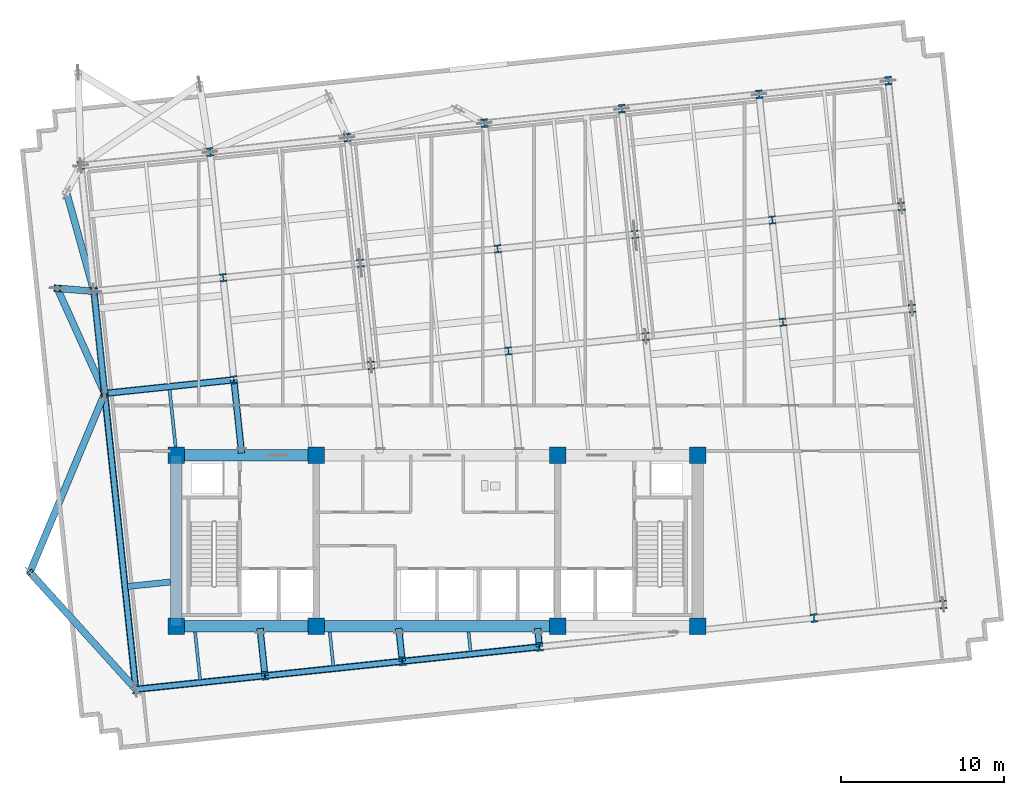
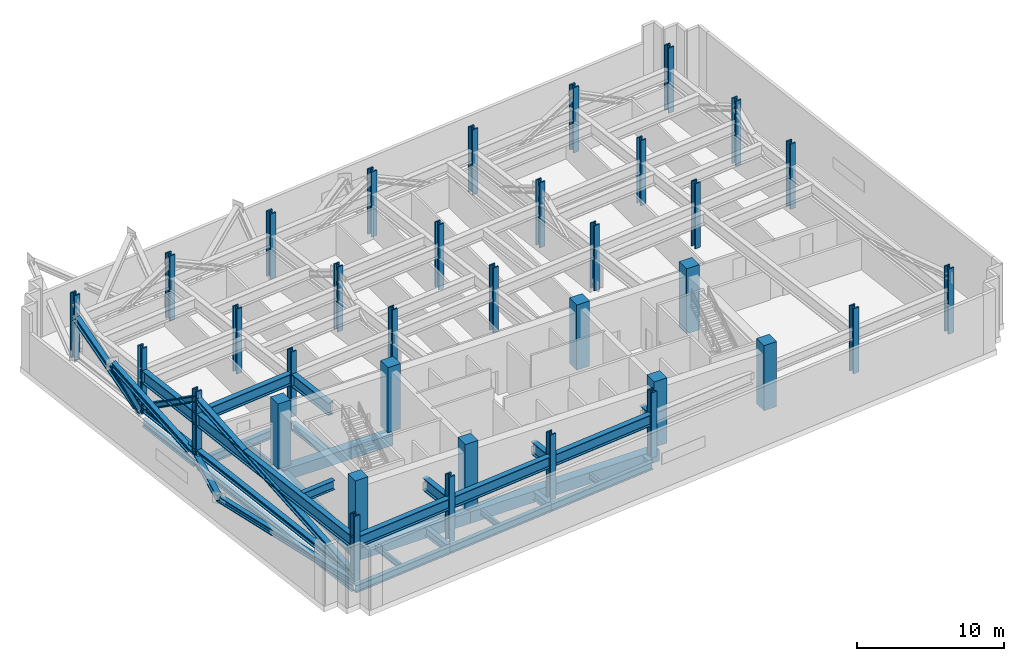
# One storey, part 1 of 11: 35 columns, 29 beams, 9 members.
"""IFC4 building model written with IfcOpenShell, lengths in metres."""

from ifc_helpers import new_model, si_unit, direction, frame, origin, origin_2d, place, context, subcontext, project, spatial, rectangle, i_section, extrude, material, material_profile, profile_set, type_object, element, save


model = new_model("IFC4")

# Units and contexts
model_context = context("Model", 3, precision=1e-05, world=origin(), true_north=direction((0.0, 1.0)))
body_context = subcontext(model_context, "Body", "Model", "MODEL_VIEW")
ifc_project = project(units=[si_unit("LENGTHUNIT", "METRE"), si_unit("AREAUNIT", "SQUARE_METRE"), si_unit("VOLUMEUNIT", "CUBIC_METRE"), si_unit("PLANEANGLEUNIT", "RADIAN"), si_unit("MASSUNIT", "GRAM", prefix="KILO")], contexts=[model_context])

# Site, building, storey
site_placement = place(None, origin())
site = spatial("IfcSite", under=ifc_project, at=site_placement, CompositionType="ELEMENT")
building_placement = place(site_placement, origin())
building = spatial("IfcBuilding", under=site, at=building_placement, Name="Solmavex Isthmus Hotel", CompositionType="ELEMENT")
storey_placement = place(building_placement, frame((0.0, 0.0, 130.5)))
storey = spatial("IfcBuildingStorey", under=building, at=storey_placement, Name="L35", CompositionType="ELEMENT", Elevation=130.5)

# Columns
ifc_material_1 = material(Name="Concrete C60/75", Category="concrete")
ifc_material_profile_1 = material_profile(ifc_material_1, rectangle(XDim=1.0, YDim=1.0, at=origin_2d()), Name="RC1000X1000")
ifc_profile_set_1 = profile_set([ifc_material_profile_1], Name="Concrete C60/75")
column_type_1 = type_object("IfcColumnType", Name="COL-CC-1000", PredefinedType="COLUMN", material=ifc_profile_set_1)
for number, where, z_axis, x_axis, name in (
    (1, (-16.0, -13.0, 0.0), (0.0, 0.0, 1.0), (1.0, 0.0, 0.0), "Core Pilaster CC-SW L35"),
    (2, (-7.39990234375, -13.0, 0.0), (0.0, 0.0, 1.0), (1.0, 0.0, 0.0), "Core Pilaster CC-S1 L35"),
    (3, (7.39990234375, -13.0, 0.0), (0.0, 0.0, 1.0), (1.0, 0.0, 0.0), "Core Pilaster CC-S2 L35"),
    (4, (16.0, -13.0, 0.0), (0.0, 0.0, 1.0), (1.0, 0.0, 0.0), "Core Pilaster CC-SE L35"),
    (5, (-16.0, -2.5, 0.0), (0.0, 0.0, 1.0), (1.0, 0.0, 0.0), "Core Pilaster CC-NW L35"),
    (6, (-7.39990234375, -2.5, 0.0), (0.0, 0.0, 1.0), (1.0, 0.0, 0.0), "Core Pilaster CC-N1 L35"),
    (7, (7.39990234375, -2.5, 0.0), (0.0, 0.0, 1.0), (1.0, 0.0, 0.0), "Core Pilaster CC-N2 L35"),
    (8, (16.0, -2.5, 0.0), (0.0, 0.0, 1.0), (1.0, 0.0, 0.0), "Core Pilaster CC-NE L35"),
):
    element("IfcColumn", number, at=place(storey_placement, frame(where, z_axis=z_axis, x_axis=x_axis)), inside=storey, type_object=column_type_1, Name=name, PredefinedType="COLUMN", context=body_context, shape_type="SweptSolid", body=[
        extrude(rectangle(XDim=1.0, YDim=1.0, at=origin_2d()), origin(), (0.0, 0.0, 1.0), 5.39990234375),
    ])
ifc_material_2 = material(Name="Steel ASTM A913 Grade 65", Category="steel")
ifc_material_profile_2 = material_profile(ifc_material_2, i_section(OverallWidth=0.43212890625, OverallDepth=0.497802734375, WebThickness=0.0556640625, FlangeThickness=0.0888671875, FilletRadius=0.030517578125, at=origin_2d()), Name="W14X500")
ifc_profile_set_2 = profile_set([ifc_material_profile_2], Name="Steel ASTM A913 Grade 65")
column_type_2 = type_object("IfcColumnType", Name="COL-SC-W14X500", PredefinedType="COLUMN", material=ifc_profile_set_2)
for number, where, z_axis, x_axis, name in (
    (9, (-12.458740234375, 2.11865234375, 0.0), (0.0, 0.0, 1.0), (0.994521895368, 0.104528463268, 0.0), "Tower Column B2-U2V2 L35"),
    (10, (-13.1171875, 8.382080078125, 0.0), (0.0, 0.0, 1.0), (0.994521895368, 0.104528463268, 0.0), "Tower Column B2-U2V3 L35"),
    (11, (-4.0390625, 3.003662109375, 0.0), (0.0, 0.0, 1.0), (0.994521895368, 0.104528463268, 0.0), "Tower Column B2-U3V2 L35"),
    (12, (-4.697509765625, 9.26708984375, 0.0), (0.0, 0.0, 1.0), (0.994521895368, 0.104528463268, 0.0), "Tower Column B2-U3V3 L35"),
    (13, (4.38037109375, 3.888427734375, 0.0), (0.0, 0.0, 1.0), (0.994521895368, 0.104528463268, 0.0), "Tower Column B2-U4V2 L35"),
    (14, (3.72216796875, 10.152099609375, 0.0), (0.0, 0.0, 1.0), (0.994521895368, 0.104528463268, 0.0), "Tower Column B2-U4V3 L35"),
    (15, (12.800048828125, 4.7734375, 0.0), (0.0, 0.0, 1.0), (0.994521895368, 0.104528463268, 0.0), "Tower Column B2-U5V2 L35"),
    (16, (12.141845703125, 11.036865234375, 0.0), (0.0, 0.0, 1.0), (0.994521895368, 0.104528463268, 0.0), "Tower Column B2-U5V3 L35"),
    (17, (21.2197265625, 5.658447265625, 0.0), (0.0, 0.0, 1.0), (0.994521895368, 0.104528463268, 0.0), "Tower Column B2-U6V2 L35"),
    (18, (20.5615234375, 11.921875, 0.0), (0.0, 0.0, 1.0), (0.994521895368, 0.104528463268, 0.0), "Tower Column B2-U6V3 L35"),
):
    element("IfcColumn", number, at=place(storey_placement, frame(where, z_axis=z_axis, x_axis=x_axis)), inside=storey, type_object=column_type_2, Name=name, PredefinedType="COLUMN", context=body_context, shape_type="SweptSolid", body=[
        extrude(i_section(OverallWidth=0.43212890625, OverallDepth=0.497802734375, WebThickness=0.0556640625, FlangeThickness=0.0888671875, FilletRadius=0.030517578125, at=origin_2d()), origin(), (0.0, 0.0, 1.0), 5.39990234375),
    ])
ifc_material_profile_3 = material_profile(ifc_material_2, i_section(OverallWidth=0.442138671875, OverallDepth=0.531494140625, WebThickness=0.06591796875, FlangeThickness=0.105712890625, FilletRadius=0.030517578125, at=origin_2d()), Name="W14X605")
ifc_profile_set_3 = profile_set([ifc_material_profile_3], Name="Steel ASTM A913 Grade 65")
column_type_3 = type_object("IfcColumnType", Name="COL-SC-W14X605", PredefinedType="COLUMN", material=ifc_profile_set_3)
for number, where, z_axis, x_axis, name in (
    (19, (-18.475341796875, -16.8642578125, 0.0), (0.0, 0.0, 1.0), (0.994521895368, 0.104528463268, 0.0), "Tower Column B2-U1V1 L35"),
    (20, (-20.383056640625, 1.28564453125, 0.0), (0.0, 0.0, 1.0), (0.994521895368, 0.104528463268, 0.0), "Tower Column B2-U1V2 L35"),
    (21, (-21.04150390625, 7.54931640625, 0.0), (0.0, 0.0, 1.0), (0.994521895368, 0.104528463268, 0.0), "Tower Column B2-U1V3 L35"),
    (22, (-21.851806640625, 15.2587890625, 0.0), (0.0, 0.0, 1.0), (0.994521895368, 0.104528463268, 0.0), "Tower Column B2-U1V4 L35"),
    (23, (-10.551025390625, -16.031494140625, 0.0), (0.0, 0.0, 1.0), (0.994521895368, 0.104528463268, 0.0), "Tower Column B2-U2V1 L35"),
    (24, (-13.927490234375, 16.091552734375, 0.0), (0.0, 0.0, 1.0), (0.994521895368, 0.104528463268, 0.0), "Tower Column B2-U2V4 L35"),
    (25, (-2.131591796875, -15.146484375, 0.0), (0.0, 0.0, 1.0), (0.994521895368, 0.104528463268, 0.0), "Tower Column B2-U3V1 L35"),
    (26, (-5.5078125, 16.9765625, 0.0), (0.0, 0.0, 1.0), (0.994521895368, 0.104528463268, 0.0), "Tower Column B2-U3V4 L35"),
    (27, (6.2880859375, -14.261474609375, 0.0), (0.0, 0.0, 1.0), (0.994521895368, 0.104528463268, 0.0), "Tower Column B2-U4V1 L35"),
    (28, (2.911865234375, 17.861572265625, 0.0), (0.0, 0.0, 1.0), (0.994521895368, 0.104528463268, 0.0), "Tower Column B2-U4V4 L35"),
    (29, (11.33154296875, 18.74658203125, 0.0), (0.0, 0.0, 1.0), (0.994521895368, 0.104528463268, 0.0), "Tower Column B2-U5V4 L35"),
    (30, (23.12744140625, -12.49169921875, 0.0), (0.0, 0.0, 1.0), (0.994521895368, 0.104528463268, 0.0), "Tower Column B2-U6V1 L35"),
    (31, (19.751220703125, 19.63134765625, 0.0), (0.0, 0.0, 1.0), (0.994521895368, 0.104528463268, 0.0), "Tower Column B2-U6V4 L35"),
    (32, (31.0517578125, -11.65869140625, 0.0), (0.0, 0.0, 1.0), (0.994521895368, 0.104528463268, 0.0), "Tower Column B2-U7V1 L35"),
    (33, (29.14404296875, 6.4912109375, 0.0), (0.0, 0.0, 1.0), (0.994521895368, 0.104528463268, 0.0), "Tower Column B2-U7V2 L35"),
    (34, (28.48583984375, 12.754638671875, 0.0), (0.0, 0.0, 1.0), (0.994521895368, 0.104528463268, 0.0), "Tower Column B2-U7V3 L35"),
    (35, (27.675537109375, 20.46435546875, 0.0), (0.0, 0.0, 1.0), (0.994521895368, 0.104528463268, 0.0), "Tower Column B2-U7V4 L35"),
):
    element("IfcColumn", number, at=place(storey_placement, frame(where, z_axis=z_axis, x_axis=x_axis)), inside=storey, type_object=column_type_3, Name=name, PredefinedType="COLUMN", context=body_context, shape_type="SweptSolid", body=[
        extrude(i_section(OverallWidth=0.442138671875, OverallDepth=0.531494140625, WebThickness=0.06591796875, FlangeThickness=0.105712890625, FilletRadius=0.030517578125, at=origin_2d()), origin(), (0.0, 0.0, 1.0), 5.39990234375),
    ])

# Beams
ifc_material_3 = material(Name="Steel ASTM A992 Grade 50", Category="steel")
ifc_material_profile_4 = material_profile(ifc_material_3, i_section(OverallWidth=0.354736328125, OverallDepth=0.695556640625, WebThickness=0.015380859375, FlangeThickness=0.02490234375, FilletRadius=0.017822265625, at=origin_2d()), Name="W27X146")
ifc_profile_set_4 = profile_set([ifc_material_profile_4], Name="Steel ASTM A992 Grade 50")
beam_type_1 = type_object("IfcBeamType", Name="BM-BG-W27X146", PredefinedType="BEAM", material=ifc_profile_set_4)
beam_1_placement = place(storey_placement, frame((-20.383056640625, 1.28564453125, -0.7978515625), z_axis=(0.994520217478, 0.10454442609, 0.0), x_axis=(-0.10454442609, 0.994520217478, 0.0)))
element("IfcBeam", 36, at=beam_1_placement, inside=storey, type_object=beam_type_1, Name="Floor Girder L35-UG07", PredefinedType="BEAM", context=body_context, shape_type="SweptSolid", body=[
    extrude(i_section(OverallWidth=0.354736328125, OverallDepth=0.695556640625, WebThickness=0.015380859375, FlangeThickness=0.02490234375, FilletRadius=0.017822265625, at=origin_2d()), origin(), (0.0, 0.0, 1.0), 7.968017578125),
])
beam_2_placement = place(storey_placement, frame((-10.568115234375, -15.868896484375, -0.7978515625), z_axis=(-0.104589444628, 0.994515484079, 0.0), x_axis=(-0.994515484079, -0.104589444628, 0.0)))
element("IfcBeam", 37, at=beam_2_placement, inside=storey, type_object=beam_type_1, Name="Floor Beam L35-VG28", PredefinedType="BEAM", context=body_context, shape_type="SweptSolid", body=[
    extrude(i_section(OverallWidth=0.354736328125, OverallDepth=0.695556640625, WebThickness=0.015380859375, FlangeThickness=0.02490234375, FilletRadius=0.017822265625, at=origin_2d()), origin(), (0.0, 0.0, 1.0), 2.53271484375),
])
beam_3_placement = place(storey_placement, frame((-12.010009765625, -2.14990234375, -0.7978515625), z_axis=(-0.104548881212, 0.994519749144, 0.0), x_axis=(-0.994519749144, -0.104548881212, 0.0)))
element("IfcBeam", 38, at=beam_3_placement, inside=storey, type_object=beam_type_1, Name="Floor Beam L35-VG29", PredefinedType="BEAM", context=body_context, shape_type="SweptSolid", body=[
    extrude(i_section(OverallWidth=0.354736328125, OverallDepth=0.695556640625, WebThickness=0.015380859375, FlangeThickness=0.02490234375, FilletRadius=0.017822265625, at=origin_2d()), origin(), (0.0, 0.0, 1.0), 4.114501953125),
])
beam_4_placement = place(storey_placement, frame((-2.148681640625, -14.984130859375, -0.7978515625), z_axis=(-0.104460468373, 0.99452903957, 0.0), x_axis=(-0.99452903957, -0.104460468373, 0.0)))
element("IfcBeam", 39, at=beam_4_placement, inside=storey, type_object=beam_type_1, Name="Floor Beam L35-VG32", PredefinedType="BEAM", context=body_context, shape_type="SweptSolid", body=[
    extrude(i_section(OverallWidth=0.354736328125, OverallDepth=0.695556640625, WebThickness=0.015380859375, FlangeThickness=0.02490234375, FilletRadius=0.017822265625, at=origin_2d()), origin(), (0.0, 0.0, 1.0), 1.64306640625),
])
beam_5_placement = place(storey_placement, frame((6.27099609375, -14.09912109375, -0.7978515625), z_axis=(-0.104381041728, 0.99453737895, 0.0), x_axis=(-0.99453737895, -0.104381041728, 0.0)))
element("IfcBeam", 40, at=beam_5_placement, inside=storey, type_object=beam_type_1, Name="Floor Beam L35-VG36", PredefinedType="BEAM", context=body_context, shape_type="SweptSolid", body=[
    extrude(i_section(OverallWidth=0.354736328125, OverallDepth=0.695556640625, WebThickness=0.015380859375, FlangeThickness=0.02490234375, FilletRadius=0.017822265625, at=origin_2d()), origin(), (0.0, 0.0, 1.0), 0.753173828125),
])
ifc_material_profile_5 = material_profile(ifc_material_3, i_section(OverallWidth=0.380615234375, OverallDepth=0.773193359375, WebThickness=0.0166015625, FlangeThickness=0.027099609375, FilletRadius=0.01904296875, at=origin_2d()), Name="W30X173")
ifc_profile_set_5 = profile_set([ifc_material_profile_5], Name="Steel ASTM A992 Grade 50")
beam_type_2 = type_object("IfcBeamType", Name="BM-BG-W30X173", PredefinedType="BEAM", material=ifc_profile_set_5)
beam_6_placement = place(storey_placement, frame((-18.982421875, -10.558349609375, 3.183349609375), z_axis=(0.994514546653, 0.104598357995, 0.0), x_axis=(-0.104598357995, 0.994514546653, 0.0)))
element("IfcBeam", 41, at=beam_6_placement, inside=storey, type_object=beam_type_2, Name="Floor Framing Cross Girder L35-XLC49", PredefinedType="BEAM", context=body_context, shape_type="SweptSolid", body=[
    extrude(i_section(OverallWidth=0.380615234375, OverallDepth=0.773193359375, WebThickness=0.0166015625, FlangeThickness=0.027099609375, FilletRadius=0.01904296875, at=origin_2d()), origin(), (0.0, 0.0, 1.0), 2.646728515625),
])
ifc_material_profile_6 = material_profile(ifc_material_3, i_section(OverallWidth=0.1904296875, OverallDepth=0.456787109375, WebThickness=0.009033203125, FlangeThickness=0.014404296875, FilletRadius=0.0126953125, at=origin_2d()), Name="W18X50")
ifc_profile_set_6 = profile_set([ifc_material_profile_6], Name="Steel ASTM A992 Grade 50")
beam_type_3 = type_object("IfcBeamType", Name="BM-BJ-W18X50", PredefinedType="JOIST", material=ifc_profile_set_6)
beam_7_placement = place(storey_placement, frame((-14.5302734375, -16.285400390625, -0.678466796875), z_axis=(-0.104555607512, 0.994519042019, 0.0), x_axis=(-0.994519042019, -0.104555607512, 0.0)))
element("IfcBeam", 42, at=beam_7_placement, inside=storey, type_object=beam_type_3, Name="Secondary Floor Joist L35-J01", PredefinedType="JOIST", context=body_context, shape_type="SweptSolid", body=[
    extrude(i_section(OverallWidth=0.1904296875, OverallDepth=0.456787109375, WebThickness=0.009033203125, FlangeThickness=0.014404296875, FilletRadius=0.0126953125, at=origin_2d()), origin(), (0.0, 0.0, 1.0), 2.951416015625),
])
beam_8_placement = place(storey_placement, frame((-16.01611328125, -2.14990234375, -0.678466796875), z_axis=(-0.104505969986, 0.99452425925, 0.0), x_axis=(-0.99452425925, -0.104505969986, 0.0)))
element("IfcBeam", 43, at=beam_8_placement, inside=storey, type_object=beam_type_3, Name="Secondary Floor Joist L35-J02", PredefinedType="JOIST", context=body_context, shape_type="SweptSolid", body=[
    extrude(i_section(OverallWidth=0.1904296875, OverallDepth=0.456787109375, WebThickness=0.009033203125, FlangeThickness=0.014404296875, FilletRadius=0.0126953125, at=origin_2d()), origin(), (0.0, 0.0, 1.0), 3.69580078125),
])
beam_9_placement = place(storey_placement, frame((-6.3583984375, -15.426513671875, -0.678466796875), z_axis=(-0.104538696399, 0.99452081977, 0.0), x_axis=(-0.99452081977, -0.104538696399, 0.0)))
element("IfcBeam", 44, at=beam_9_placement, inside=storey, type_object=beam_type_3, Name="Secondary Floor Joist L35-J05", PredefinedType="JOIST", context=body_context, shape_type="SweptSolid", body=[
    extrude(i_section(OverallWidth=0.1904296875, OverallDepth=0.456787109375, WebThickness=0.009033203125, FlangeThickness=0.014404296875, FilletRadius=0.0126953125, at=origin_2d()), origin(), (0.0, 0.0, 1.0), 2.087890625),
])
beam_10_placement = place(storey_placement, frame((2.061279296875, -14.54150390625, -0.678466796875), z_axis=(-0.104546872872, 0.994519960269, 0.0), x_axis=(-0.994519960269, -0.104546872872, 0.0)))
element("IfcBeam", 45, at=beam_10_placement, inside=storey, type_object=beam_type_3, Name="Secondary Floor Joist L35-J09", PredefinedType="JOIST", context=body_context, shape_type="SweptSolid", body=[
    extrude(i_section(OverallWidth=0.1904296875, OverallDepth=0.456787109375, WebThickness=0.009033203125, FlangeThickness=0.014404296875, FilletRadius=0.0126953125, at=origin_2d()), origin(), (0.0, 0.0, 1.0), 1.197998046875),
])
ifc_material_profile_7 = material_profile(ifc_material_1, rectangle(XDim=0.699951171875, YDim=0.949951171875, at=origin_2d()), Name="RC700X950")
ifc_profile_set_7 = profile_set([ifc_material_profile_7], Name="Concrete C60/75")
beam_type_4 = type_object("IfcBeamType", Name="BM-CB-700X950", PredefinedType="BEAM", material=ifc_profile_set_7)
beam_11_placement = place(storey_placement, frame((-16.0, -13.0, -0.925048828125), z_axis=(1.0, 0.0, 0.0), x_axis=(0.0, 1.0, 0.0)))
element("IfcBeam", 46, at=beam_11_placement, inside=storey, type_object=beam_type_4, Name="Core Coupling Beam L35-CB1", PredefinedType="BEAM", context=body_context, shape_type="SweptSolid", body=[
    extrude(rectangle(XDim=0.699951171875, YDim=0.949951171875, at=origin_2d()), origin(), (0.0, 0.0, 1.0), 8.60009765625),
])
beam_12_placement = place(storey_placement, frame((-7.39990234375, -13.0, -0.925048828125), z_axis=(1.0, 0.0, 0.0), x_axis=(0.0, 1.0, 0.0)))
element("IfcBeam", 47, at=beam_12_placement, inside=storey, type_object=beam_type_4, Name="Core Coupling Beam L35-CB2", PredefinedType="BEAM", context=body_context, shape_type="SweptSolid", body=[
    extrude(rectangle(XDim=0.699951171875, YDim=0.949951171875, at=origin_2d()), origin(), (0.0, 0.0, 1.0), 14.7998046875),
])
beam_13_placement = place(storey_placement, frame((-16.0, -2.5, -0.81494140625), z_axis=(1.0, 0.0, 0.0), x_axis=(0.0, 1.0, 0.0)))
element("IfcBeam", 48, at=beam_13_placement, inside=storey, type_object=beam_type_4, Name="Core Coupling Beam L35-CB4", PredefinedType="BEAM", context=body_context, shape_type="SweptSolid", body=[
    extrude(rectangle(XDim=0.699951171875, YDim=0.949951171875, at=origin_2d()), origin(), (0.0, 0.0, 1.0), 8.60009765625),
])
beam_14_placement = place(storey_placement, frame((-16.0, -13.0, -0.925048828125), z_axis=(0.0, 1.0, 0.0), x_axis=(-1.0, 0.0, 0.0)))
element("IfcBeam", 49, at=beam_14_placement, inside=storey, type_object=beam_type_4, Name="Core Coupling Beam L35-CB7", PredefinedType="BEAM", context=body_context, shape_type="SweptSolid", body=[
    extrude(rectangle(XDim=0.699951171875, YDim=0.949951171875, at=origin_2d()), origin(), (0.0, 0.0, 1.0), 10.5),
])
ifc_material_profile_8 = material_profile(ifc_material_3, i_section(OverallWidth=0.326416015625, OverallDepth=0.621826171875, WebThickness=0.015380859375, FlangeThickness=0.0244140625, FilletRadius=0.01513671875, at=origin_2d()), Name="W24X131")
ifc_profile_set_8 = profile_set([ifc_material_profile_8], Name="Steel ASTM A992 Grade 50")
beam_type_5 = type_object("IfcBeamType", Name="BM-SP-W24X131", PredefinedType="SPANDREL", material=ifc_profile_set_8)
beam_15_placement = place(storey_placement, frame((-18.475341796875, -16.8642578125, -0.760986328125), z_axis=(0.994523402738, 0.104514120609, 0.0), x_axis=(-0.104514120609, 0.994523402738, 0.0)))
element("IfcBeam", 50, at=beam_15_placement, inside=storey, type_object=beam_type_5, Name="Floor Girder L35-UG01", PredefinedType="SPANDREL", context=body_context, shape_type="SweptSolid", body=[
    extrude(i_section(OverallWidth=0.326416015625, OverallDepth=0.621826171875, WebThickness=0.015380859375, FlangeThickness=0.0244140625, FilletRadius=0.01513671875, at=origin_2d()), origin(), (0.0, 0.0, 1.0), 7.968017578125),
])
beam_16_placement = place(storey_placement, frame((-10.551025390625, -16.031494140625, -0.760986328125), z_axis=(0.994520770064, 0.104539169271, 0.0), x_axis=(-0.104539169271, 0.994520770064, 0.0)))
element("IfcBeam", 51, at=beam_16_placement, inside=storey, type_object=beam_type_5, Name="Floor Girder L35-UG02", PredefinedType="SPANDREL", context=body_context, shape_type="SweptSolid", body=[
    extrude(i_section(OverallWidth=0.326416015625, OverallDepth=0.621826171875, WebThickness=0.015380859375, FlangeThickness=0.0244140625, FilletRadius=0.01513671875, at=origin_2d()), origin(), (0.0, 0.0, 1.0), 8.4658203125),
])
beam_17_placement = place(storey_placement, frame((-2.131591796875, -15.146484375, -0.760986328125), z_axis=(0.994521085209, 0.104536171134, 0.0), x_axis=(-0.104536171134, 0.994521085209, 0.0)))
element("IfcBeam", 52, at=beam_17_placement, inside=storey, type_object=beam_type_5, Name="Floor Girder L35-UG03", PredefinedType="SPANDREL", context=body_context, shape_type="SweptSolid", body=[
    extrude(i_section(OverallWidth=0.326416015625, OverallDepth=0.621826171875, WebThickness=0.015380859375, FlangeThickness=0.0244140625, FilletRadius=0.01513671875, at=origin_2d()), origin(), (0.0, 0.0, 1.0), 8.466064453125),
])
beam_18_placement = place(storey_placement, frame((-18.492431640625, -16.701904296875, -0.760986328125), z_axis=(-0.104530088192, 0.99452172458, 0.0), x_axis=(-0.99452172458, -0.104530088192, 0.0)))
element("IfcBeam", 53, at=beam_18_placement, inside=storey, type_object=beam_type_5, Name="Floor Beam L35-VG25", PredefinedType="SPANDREL", context=body_context, shape_type="SweptSolid", body=[
    extrude(i_section(OverallWidth=0.326416015625, OverallDepth=0.621826171875, WebThickness=0.015380859375, FlangeThickness=0.0244140625, FilletRadius=0.01513671875, at=origin_2d()), origin(), (0.0, 0.0, 1.0), 17.909423828125),
])
beam_19_placement = place(storey_placement, frame((-20.401611328125, 1.462158203125, -0.760986328125), z_axis=(-0.104545790518, 0.994520074048, 0.0), x_axis=(-0.994520074048, -0.104545790518, 0.0)))
element("IfcBeam", 54, at=beam_19_placement, inside=storey, type_object=beam_type_5, Name="Floor Beam L35-VG26", PredefinedType="SPANDREL", context=body_context, shape_type="SweptSolid", body=[
    extrude(i_section(OverallWidth=0.326416015625, OverallDepth=0.621826171875, WebThickness=0.015380859375, FlangeThickness=0.0244140625, FilletRadius=0.01513671875, at=origin_2d()), origin(), (0.0, 0.0, 1.0), 5.943115234375),
])
ifc_material_profile_9 = material_profile(ifc_material_2, i_section(OverallWidth=0.423095703125, OverallDepth=0.93896484375, WebThickness=0.02392578125, FlangeThickness=0.042724609375, FilletRadius=0.024169921875, at=origin_2d()), Name="W36X302")
ifc_profile_set_9 = profile_set([ifc_material_profile_9], Name="Steel ASTM A913 Grade 65")
beam_type_6 = type_object("IfcBeamType", Name="BM-TB-W36X302", PredefinedType="BEAM", material=ifc_profile_set_9)
beam_20_placement = place(storey_placement, frame((-18.3212890625, -16.84814453125, 3.1005859375), z_axis=(0.994520989294, 0.104537083632, 0.0), x_axis=(-0.104537083632, 0.994520989294, 0.0)))
element("IfcBeam", 55, at=beam_20_placement, inside=storey, type_object=beam_type_6, Name="Horizontal Outrigger Collector Girder L35-XLC25", PredefinedType="BEAM", context=body_context, shape_type="SweptSolid", body=[
    extrude(i_section(OverallWidth=0.423095703125, OverallDepth=0.93896484375, WebThickness=0.02392578125, FlangeThickness=0.042724609375, FilletRadius=0.024169921875, at=origin_2d()), origin(), (0.0, 0.0, 1.0), 7.657958984375),
])
for number, where, z_axis, x_axis, name in (
    (56, (-10.39697265625, -16.01513671875, 3.1005859375), (0.994521842818, 0.104528963253, 0.0), (-0.104528963253, 0.994521842818, 0.0), "Horizontal Outrigger Collector Girder L35-XLC26"),
    (57, (-1.977294921875, -15.13037109375, 3.1005859375), (0.994521842818, 0.104528963253, 0.0), (-0.104528963253, 0.994521842818, 0.0), "Horizontal Outrigger Collector Girder L35-XLC27"),
):
    element("IfcBeam", number, at=place(storey_placement, frame(where, z_axis=z_axis, x_axis=x_axis)), inside=storey, type_object=beam_type_6, Name=name, PredefinedType="BEAM", context=body_context, shape_type="SweptSolid", body=[
        extrude(i_section(OverallWidth=0.423095703125, OverallDepth=0.93896484375, WebThickness=0.02392578125, FlangeThickness=0.042724609375, FilletRadius=0.024169921875, at=origin_2d()), origin(), (0.0, 0.0, 1.0), 8.156005859375),
    ])
beam_21_placement = place(storey_placement, frame((-20.22900390625, 1.302001953125, 3.1005859375), z_axis=(0.99452133767, 0.104533769272, 0.0), x_axis=(-0.104533769272, 0.99452133767, 0.0)))
element("IfcBeam", 58, at=beam_21_placement, inside=storey, type_object=beam_type_6, Name="Horizontal Outrigger Collector Girder L35-XLC31", PredefinedType="BEAM", context=body_context, shape_type="SweptSolid", body=[
    extrude(i_section(OverallWidth=0.423095703125, OverallDepth=0.93896484375, WebThickness=0.02392578125, FlangeThickness=0.042724609375, FilletRadius=0.024169921875, at=origin_2d()), origin(), (0.0, 0.0, 1.0), 7.658203125),
])
ifc_material_profile_10 = material_profile(ifc_material_2, i_section(OverallWidth=0.409423828125, OverallDepth=1.036376953125, WebThickness=0.031005859375, FlangeThickness=0.055908203125, FilletRadius=0.030517578125, at=origin_2d()), Name="W40X397")
ifc_profile_set_10 = profile_set([ifc_material_profile_10], Name="Steel ASTM A913 Grade 65")
beam_type_7 = type_object("IfcBeamType", Name="BM-TB-W40X397B", PredefinedType="BEAM", material=ifc_profile_set_10)
beam_22_placement = place(storey_placement, frame((-18.475341796875, -16.8642578125, 3.0517578125), z_axis=(-0.104532974434, 0.994521421215, 0.0), x_axis=(-0.994521421215, -0.104532974434, 0.0)))
element("IfcBeam", 59, at=beam_22_placement, inside=storey, type_object=beam_type_7, Name="Horizontal Transfer Carrier Girder L35-XLC01", PredefinedType="BEAM", context=body_context, shape_type="SweptSolid", body=[
    extrude(i_section(OverallWidth=0.409423828125, OverallDepth=1.036376953125, WebThickness=0.031005859375, FlangeThickness=0.055908203125, FilletRadius=0.030517578125, at=origin_2d()), origin(), (0.0, 0.0, 1.0), 18.25),
])
beam_23_placement = place(storey_placement, frame((-20.383056640625, 1.28564453125, 3.0517578125), z_axis=(-0.104545552972, 0.994520099019, 0.0), x_axis=(-0.994520099019, -0.104545552972, 0.0)))
element("IfcBeam", 60, at=beam_23_placement, inside=storey, type_object=beam_type_7, Name="Horizontal Transfer Carrier Girder L35-XLC02", PredefinedType="BEAM", context=body_context, shape_type="SweptSolid", body=[
    extrude(i_section(OverallWidth=0.409423828125, OverallDepth=1.036376953125, WebThickness=0.031005859375, FlangeThickness=0.055908203125, FilletRadius=0.030517578125, at=origin_2d()), origin(), (0.0, 0.0, 1.0), 6.298095703125),
])
beam_24_placement = place(storey_placement, frame((-10.551025390625, -16.031494140625, 3.0517578125), z_axis=(-0.10451490343, 0.994523320471, 0.0), x_axis=(-0.994523320471, -0.10451490343, 0.0)))
element("IfcBeam", 61, at=beam_24_placement, inside=storey, type_object=beam_type_7, Name="Horizontal Transfer Carrier Girder L35-XLC04", PredefinedType="BEAM", context=body_context, shape_type="SweptSolid", body=[
    extrude(i_section(OverallWidth=0.409423828125, OverallDepth=1.036376953125, WebThickness=0.031005859375, FlangeThickness=0.055908203125, FilletRadius=0.030517578125, at=origin_2d()), origin(), (0.0, 0.0, 1.0), 2.91748046875),
])
beam_25_placement = place(storey_placement, frame((-11.987060546875, -2.3701171875, 3.0517578125), z_axis=(-0.104504576943, 0.994524405632, 0.0), x_axis=(-0.994524405632, -0.104504576943, 0.0)))
element("IfcBeam", 62, at=beam_25_placement, inside=storey, type_object=beam_type_7, Name="Horizontal Transfer Carrier Girder L35-XLC05", PredefinedType="BEAM", context=body_context, shape_type="SweptSolid", body=[
    extrude(i_section(OverallWidth=0.409423828125, OverallDepth=1.036376953125, WebThickness=0.031005859375, FlangeThickness=0.055908203125, FilletRadius=0.030517578125, at=origin_2d()), origin(), (0.0, 0.0, 1.0), 4.513427734375),
])
beam_26_placement = place(storey_placement, frame((-2.131591796875, -15.146484375, 3.0517578125), z_axis=(-0.104509292252, 0.994523910136, 0.0), x_axis=(-0.994523910136, -0.104509292252, 0.0)))
element("IfcBeam", 63, at=beam_26_placement, inside=storey, type_object=beam_type_7, Name="Horizontal Transfer Carrier Girder L35-XLC08", PredefinedType="BEAM", context=body_context, shape_type="SweptSolid", body=[
    extrude(i_section(OverallWidth=0.409423828125, OverallDepth=1.036376953125, WebThickness=0.031005859375, FlangeThickness=0.055908203125, FilletRadius=0.030517578125, at=origin_2d()), origin(), (0.0, 0.0, 1.0), 2.027587890625),
])
beam_27_placement = place(storey_placement, frame((6.2880859375, -14.261474609375, 3.0517578125), z_axis=(-0.104494904103, 0.994525422006, 0.0), x_axis=(-0.994525422006, -0.104494904103, 0.0)))
element("IfcBeam", 64, at=beam_27_placement, inside=storey, type_object=beam_type_7, Name="Horizontal Transfer Carrier Girder L35-XLC12", PredefinedType="BEAM", context=body_context, shape_type="SweptSolid", body=[
    extrude(i_section(OverallWidth=0.409423828125, OverallDepth=1.036376953125, WebThickness=0.031005859375, FlangeThickness=0.055908203125, FilletRadius=0.030517578125, at=origin_2d()), origin(), (0.0, 0.0, 1.0), 1.137939453125),
])

# Members
ifc_material_profile_11 = material_profile(ifc_material_2, i_section(OverallWidth=0.412109375, OverallDepth=0.434814453125, WebThickness=0.035888671875, FlangeThickness=0.057373046875, FilletRadius=0.030517578125, at=origin_2d()), Name="W14X311")
ifc_profile_set_11 = profile_set([ifc_material_profile_11], Name="Steel ASTM A913 Grade 65")
member_type_1 = type_object("IfcMemberType", Name="MEM-TC-W14X311", PredefinedType="CHORD", material=ifc_profile_set_11)
member_1_placement = place(storey_placement, frame((-18.475341796875, -16.8642578125, 0.35009765625), z_axis=(-0.104532974434, 0.994521421215, 0.0), x_axis=(-0.994521421215, -0.104532974434, 0.0)))
element("IfcMember", 65, at=member_1_placement, inside=storey, type_object=member_type_1, Name="Outrigger and Belt Transfer Truss Bottom Chord BT-L35-W-07", PredefinedType="CHORD", context=body_context, shape_type="SweptSolid", body=[
    extrude(i_section(OverallWidth=0.412109375, OverallDepth=0.434814453125, WebThickness=0.035888671875, FlangeThickness=0.057373046875, FilletRadius=0.030517578125, at=origin_2d()), origin(), (0.0, 0.0, 1.0), 18.25),
])
member_2_placement = place(storey_placement, frame((-20.383056640625, 1.28564453125, 0.35009765625), z_axis=(-0.104545552972, 0.994520099019, 0.0), x_axis=(-0.994520099019, -0.104545552972, 0.0)))
element("IfcMember", 66, at=member_2_placement, inside=storey, type_object=member_type_1, Name="Outrigger and Belt Transfer Truss Bottom Chord BT-L35-W-08", PredefinedType="CHORD", context=body_context, shape_type="SweptSolid", body=[
    extrude(i_section(OverallWidth=0.412109375, OverallDepth=0.434814453125, WebThickness=0.035888671875, FlangeThickness=0.057373046875, FilletRadius=0.030517578125, at=origin_2d()), origin(), (0.0, 0.0, 1.0), 6.298095703125),
])
ifc_material_profile_12 = material_profile(ifc_material_2, i_section(OverallWidth=0.41845703125, OverallDepth=0.455078125, WebThickness=0.0419921875, FlangeThickness=0.067626953125, FilletRadius=0.030517578125, at=origin_2d()), Name="W14X370")
ifc_profile_set_12 = profile_set([ifc_material_profile_12], Name="Steel ASTM A913 Grade 65")
member_type_2 = type_object("IfcMemberType", Name="MEM-TM-W14X370", PredefinedType="BRACE", material=ifc_profile_set_12)
member_3_placement = place(storey_placement, frame((-18.475341796875, -16.8642578125, -0.25), z_axis=(-0.598507333528, 0.66165497699, 0.451665432747), x_axis=(-0.741609873938, -0.670831420611, 0.0)))
element("IfcMember", 67, at=member_3_placement, inside=storey, type_object=member_type_2, Name="Perimeter Facade Transfer Bracket L35-FBR01", PredefinedType="BRACE", context=body_context, shape_type="SweptSolid", body=[
    extrude(i_section(OverallWidth=0.41845703125, OverallDepth=0.455078125, WebThickness=0.0419921875, FlangeThickness=0.067626953125, FilletRadius=0.030517578125, at=origin_2d()), origin(), (0.0, 0.0, 1.0), 10.8486328125),
])
member_4_placement = place(storey_placement, frame((-20.383056640625, 1.28564453125, -0.25), z_axis=(-0.356508315883, -0.853087706943, 0.380976619976), x_axis=(0.922671263228, -0.385587525749, 0.0)))
element("IfcMember", 68, at=member_4_placement, inside=storey, type_object=member_type_2, Name="Perimeter Facade Transfer Bracket L35-FBR02", PredefinedType="BRACE", context=body_context, shape_type="SweptSolid", body=[
    extrude(i_section(OverallWidth=0.41845703125, OverallDepth=0.455078125, WebThickness=0.0419921875, FlangeThickness=0.067626953125, FilletRadius=0.030517578125, at=origin_2d()), origin(), (0.0, 0.0, 1.0), 12.861328125),
])
member_5_placement = place(storey_placement, frame((-21.04150390625, 7.54931640625, -0.25), z_axis=(-0.416982970074, 0.034077292866, 0.908275256065), x_axis=(-0.081451919462, -0.996677272148, 0.0)))
element("IfcMember", 69, at=member_5_placement, inside=storey, type_object=member_type_2, Name="Perimeter Facade Transfer Bracket L35-FBR03", PredefinedType="BRACE", context=body_context, shape_type="SweptSolid", body=[
    extrude(i_section(OverallWidth=0.41845703125, OverallDepth=0.455078125, WebThickness=0.0419921875, FlangeThickness=0.067626953125, FilletRadius=0.030517578125, at=origin_2d()), origin(), (0.0, 0.0, 1.0), 5.394775390625),
])
member_6_placement = place(storey_placement, frame((-20.383056640625, 1.28564453125, -0.25), z_axis=(-0.337961966175, 0.749327307926, 0.569464919917), x_axis=(-0.911573059657, -0.411138123881, 0.0)))
element("IfcMember", 70, at=member_6_placement, inside=storey, type_object=member_type_2, Name="Perimeter Facade Transfer Bracket L35-FBR04", PredefinedType="BRACE", context=body_context, shape_type="SweptSolid", body=[
    extrude(i_section(OverallWidth=0.41845703125, OverallDepth=0.455078125, WebThickness=0.0419921875, FlangeThickness=0.067626953125, FilletRadius=0.030517578125, at=origin_2d()), origin(), (0.0, 0.0, 1.0), 8.6044921875),
])
member_7_placement = place(storey_placement, frame((-21.04150390625, 7.54931640625, -0.25), z_axis=(-0.211040767327, 0.760328310539, 0.6142985062), x_axis=(-0.963570684656, -0.267453801003, 0.0)))
element("IfcMember", 71, at=member_7_placement, inside=storey, type_object=member_type_2, Name="Perimeter Facade Transfer Bracket L35-FBR06", PredefinedType="BRACE", context=body_context, shape_type="SweptSolid", body=[
    extrude(i_section(OverallWidth=0.41845703125, OverallDepth=0.455078125, WebThickness=0.0419921875, FlangeThickness=0.067626953125, FilletRadius=0.030517578125, at=origin_2d()), origin(), (0.0, 0.0, 1.0), 7.976318359375),
])
member_8_placement = place(storey_placement, frame((-18.475341796875, -16.8642578125, 0.35009765625), z_axis=(-0.101747085101, 0.968016611281, 0.229328085845), x_axis=(-0.994521421215, -0.104532974434, 0.0)))
element("IfcMember", 72, at=member_8_placement, inside=storey, type_object=member_type_2, Name="Outrigger and Belt Transfer Truss Diagonal Brace BT-L35-W-07", PredefinedType="BRACE", context=body_context, shape_type="SweptSolid", body=[
    extrude(i_section(OverallWidth=0.41845703125, OverallDepth=0.455078125, WebThickness=0.0419921875, FlangeThickness=0.067626953125, FilletRadius=0.030517578125, at=origin_2d()), origin(), (0.0, 0.0, 1.0), 18.74951171875),
])
member_9_placement = place(storey_placement, frame((-20.383056640625, 1.28564453125, 4.64990234375), z_axis=(-0.086342726078, 0.821360393126, -0.563836889762), x_axis=(-0.994520099019, -0.104545552972, 0.0)))
element("IfcMember", 73, at=member_9_placement, inside=storey, type_object=member_type_2, Name="Outrigger and Belt Transfer Truss Diagonal Brace BT-L35-W-08", PredefinedType="BRACE", context=body_context, shape_type="SweptSolid", body=[
    extrude(i_section(OverallWidth=0.41845703125, OverallDepth=0.455078125, WebThickness=0.0419921875, FlangeThickness=0.067626953125, FilletRadius=0.030517578125, at=origin_2d()), origin(), (0.0, 0.0, 1.0), 7.6259765625),
])

save(model, "model.ifc")
